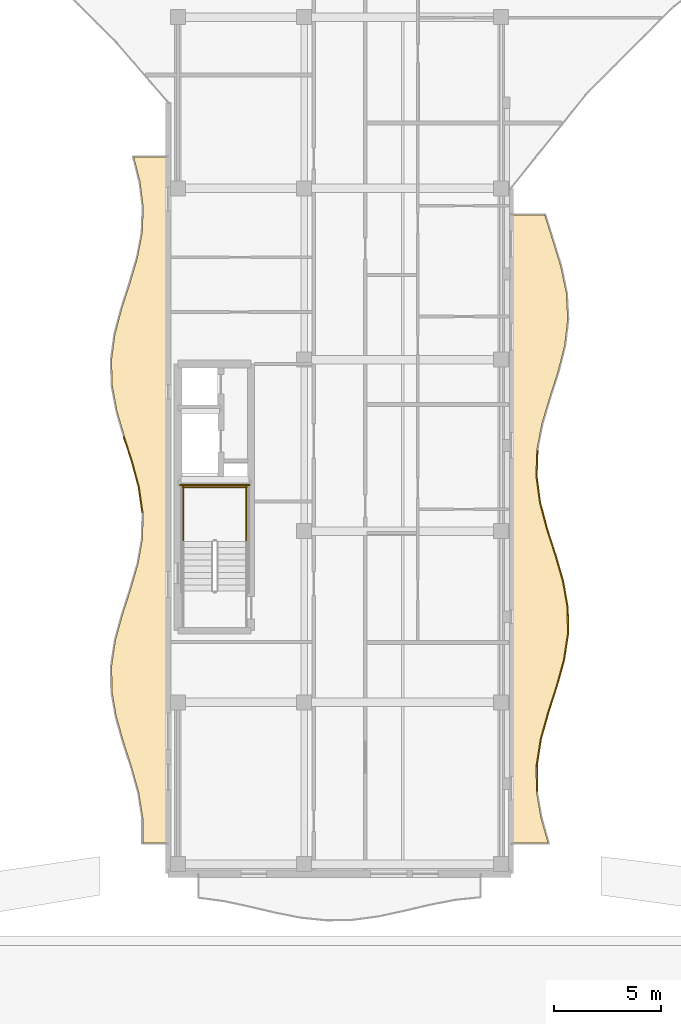
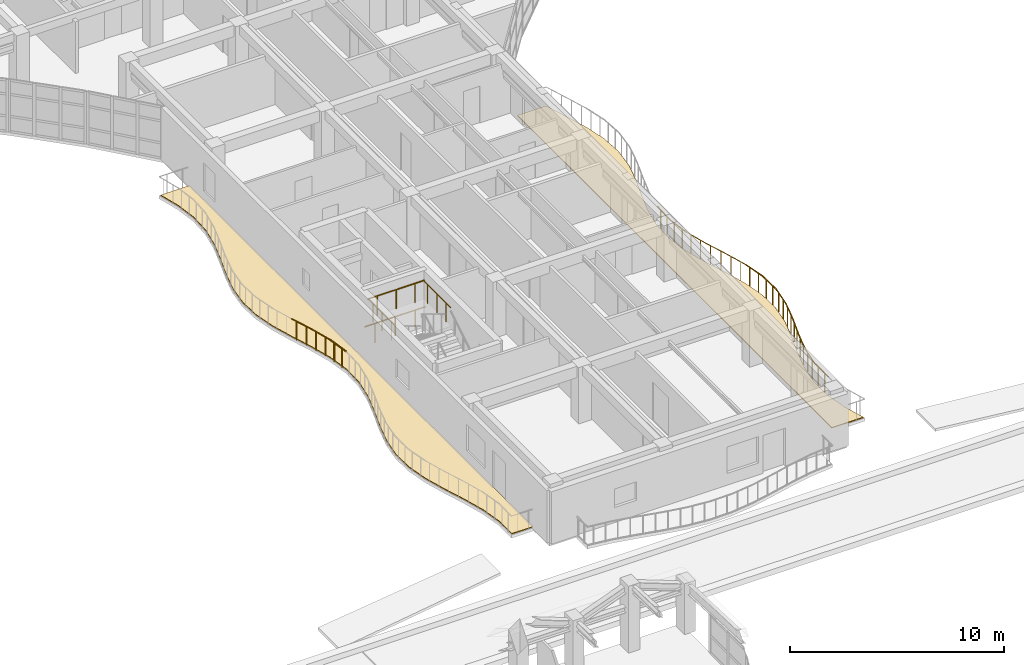
# One storey, part 111 of 128: 20 railings, 2 coverings.
"""IFC4 building model written with IfcOpenShell, lengths in metres."""

from ifc_helpers import new_model, si_unit, direction, frame, origin, origin_2d, place, context, subcontext, project, spatial, polyline, circle, outline, extrude, material, layer, layer_set, type_object, element, save


model = new_model("IFC4")

# Units and contexts
model_context = context("Model", 3, precision=1e-05, world=origin(), true_north=direction((0.0, 1.0)))
body_context = subcontext(model_context, "Body", "Model", "MODEL_VIEW")
ifc_project = project(units=[si_unit("LENGTHUNIT", "METRE"), si_unit("AREAUNIT", "SQUARE_METRE"), si_unit("VOLUMEUNIT", "CUBIC_METRE"), si_unit("PLANEANGLEUNIT", "RADIAN"), si_unit("MASSUNIT", "GRAM", prefix="KILO")], contexts=[model_context])

# Site, building, storey
site_placement = place(None, origin())
site = spatial("IfcSite", under=ifc_project, at=site_placement, CompositionType="ELEMENT")
building_placement = place(site_placement, origin())
building = spatial("IfcBuilding", under=site, at=building_placement, Name="Keldmere Railside Commons", CompositionType="ELEMENT")
storey_placement = place(building_placement, frame((0.0, 0.0, 4.159912109375)))
storey = spatial("IfcBuildingStorey", under=building, at=storey_placement, Name="L01", CompositionType="ELEMENT", Elevation=4.159912109375)

# Railings
ifc_material_1 = material(Name="Steel F-24 (S235)", Category="steel")
railing_type_1 = type_object("IfcRailingType", Name="Balcony & Terrace Steel Balustrade 1100", PredefinedType="BALUSTRADE", material=ifc_material_1)
railing_1_placement = place(storey_placement, frame((121.23193359375, 59.85009765625, 0.0)))
element("IfcRailing", 1, at=railing_1_placement, inside=storey, type_object=railing_type_1, Name="GR-1 GRD-L01-1884", PredefinedType="BALUSTRADE", context=body_context, shape_type="SweptSolid", body=[
    extrude(circle(Radius=0.02392578125, at=origin_2d()), frame((0.0, 0.0, 1.076171875), z_axis=(-0.008371243441, 0.999964960528, 0.0), x_axis=(-0.999964960528, -0.008371243441, 0.0)), (0.0, 0.0, 1.0), 1.224853515625),
    extrude(circle(Radius=0.02099609375, at=origin_2d()), frame((-0.00244140625, 0.30615234375, 0.0)), (0.0, 0.0, 1.0), 1.048095703125),
    extrude(circle(Radius=0.02099609375, at=origin_2d()), frame((-0.0078125, 0.918701171875, 0.0)), (0.0, 0.0, 1.0), 1.048095703125),
])
railing_2_placement = place(storey_placement, frame((121.2216796875, 61.074951171875, 0.0)))
element("IfcRailing", 2, at=railing_2_placement, inside=storey, type_object=railing_type_1, Name="GR-1 GRD-L01-1885", PredefinedType="BALUSTRADE", context=body_context, shape_type="SweptSolid", body=[
    extrude(circle(Radius=0.02392578125, at=origin_2d()), frame((0.0, 0.0, 1.076171875), z_axis=(0.155517765147, 0.98783309558, 0.0), x_axis=(-0.98783309558, 0.155517765147, 0.0)), (0.0, 0.0, 1.0), 1.240234375),
    extrude(circle(Radius=0.02099609375, at=origin_2d()), frame((0.04833984375, 0.30615234375, 0.0)), (0.0, 0.0, 1.0), 1.048095703125),
    extrude(circle(Radius=0.02099609375, at=origin_2d()), frame((0.14453125, 0.9189453125, 0.0)), (0.0, 0.0, 1.0), 1.048095703125),
])
railing_3_placement = place(storey_placement, frame((121.41455078125, 62.300048828125, 0.0)))
element("IfcRailing", 3, at=railing_3_placement, inside=storey, type_object=railing_type_1, Name="GR-1 GRD-L01-1886", PredefinedType="BALUSTRADE", context=body_context, shape_type="SweptSolid", body=[
    extrude(circle(Radius=0.02392578125, at=origin_2d()), frame((0.0, 0.0, 1.076171875), z_axis=(0.268960502567, 0.963151207266, 0.0), x_axis=(-0.963151207266, 0.268960502567, 0.0)), (0.0, 0.0, 1.0), 1.271728515625),
    extrude(circle(Radius=0.02099609375, at=origin_2d()), frame((0.08544921875, 0.30615234375, 0.0)), (0.0, 0.0, 1.0), 1.048095703125),
    extrude(circle(Radius=0.02099609375, at=origin_2d()), frame((0.256591796875, 0.918701171875, 0.0)), (0.0, 0.0, 1.0), 1.048095703125),
])
railing_4_placement = place(storey_placement, frame((121.756591796875, 63.52490234375, 0.0)))
element("IfcRailing", 4, at=railing_4_placement, inside=storey, type_object=railing_type_1, Name="GR-1 GRD-L01-1887", PredefinedType="BALUSTRADE", context=body_context, shape_type="SweptSolid", body=[
    extrude(circle(Radius=0.02392578125, at=origin_2d()), frame((0.0, 0.0, 1.076171875), z_axis=(0.307739510091, 0.95147064796, 0.0), x_axis=(-0.95147064796, 0.307739510091, 0.0)), (0.0, 0.0, 1.0), 1.28759765625),
    extrude(circle(Radius=0.02099609375, at=origin_2d()), frame((0.09912109375, 0.30615234375, 0.0)), (0.0, 0.0, 1.0), 1.048095703125),
    extrude(circle(Radius=0.02099609375, at=origin_2d()), frame((0.297119140625, 0.9189453125, 0.0)), (0.0, 0.0, 1.0), 1.048095703125),
])
railing_5_placement = place(storey_placement, frame((122.15283203125, 64.75, 0.0)))
element("IfcRailing", 5, at=railing_5_placement, inside=storey, type_object=railing_type_1, Name="GR-1 GRD-L01-1888", PredefinedType="BALUSTRADE", context=body_context, shape_type="SweptSolid", body=[
    extrude(circle(Radius=0.02392578125, at=origin_2d()), frame((0.0, 0.0, 1.076171875), z_axis=(0.267128781971, 0.963660839633, 0.0), x_axis=(-0.963660839633, 0.267128781971, 0.0)), (0.0, 0.0, 1.0), 1.271240234375),
    extrude(circle(Radius=0.02099609375, at=origin_2d()), frame((0.0849609375, 0.30615234375, 0.0)), (0.0, 0.0, 1.0), 1.048095703125),
    extrude(circle(Radius=0.02099609375, at=origin_2d()), frame((0.254638671875, 0.9189453125, 0.0)), (0.0, 0.0, 1.0), 1.048095703125),
])
railing_6_placement = place(storey_placement, frame((122.492431640625, 65.97509765625, 0.0)))
element("IfcRailing", 6, at=railing_6_placement, inside=storey, type_object=railing_type_1, Name="GR-1 GRD-L01-1889", PredefinedType="BALUSTRADE", context=body_context, shape_type="SweptSolid", body=[
    extrude(circle(Radius=0.02392578125, at=origin_2d()), frame((0.0, 0.0, 1.076171875), z_axis=(0.151894336175, 0.988396737468, 0.0), x_axis=(-0.988396737468, 0.151894336175, 0.0)), (0.0, 0.0, 1.0), 1.2392578125),
    extrude(circle(Radius=0.02099609375, at=origin_2d()), frame((0.047119140625, 0.30615234375, 0.0)), (0.0, 0.0, 1.0), 1.048095703125),
    extrude(circle(Radius=0.02099609375, at=origin_2d()), frame((0.14111328125, 0.918701171875, 0.0)), (0.0, 0.0, 1.0), 1.048095703125),
])
railing_7_placement = place(storey_placement, frame((122.6806640625, 67.199951171875, 0.0)))
element("IfcRailing", 7, at=railing_7_placement, inside=storey, type_object=railing_type_1, Name="GR-1 GRD-L01-1890", PredefinedType="BALUSTRADE", context=body_context, shape_type="SweptSolid", body=[
    extrude(circle(Radius=0.02392578125, at=origin_2d()), frame((0.0, 0.0, 1.076171875), z_axis=(-0.012753048087, 0.999918676575, 0.0), x_axis=(-0.999918676575, -0.012753048087, 0.0)), (0.0, 0.0, 1.0), 1.22509765625),
    extrude(circle(Radius=0.02099609375, at=origin_2d()), frame((-0.00390625, 0.30615234375, 0.0)), (0.0, 0.0, 1.0), 1.048095703125),
    extrude(circle(Radius=0.02099609375, at=origin_2d()), frame((-0.01171875, 0.9189453125, 0.0)), (0.0, 0.0, 1.0), 1.048095703125),
])
railing_8_placement = place(storey_placement, frame((122.6650390625, 68.425048828125, 0.0)))
element("IfcRailing", 8, at=railing_8_placement, inside=storey, type_object=railing_type_1, Name="GR-1 GRD-L01-1891", PredefinedType="BALUSTRADE", context=body_context, shape_type="SweptSolid", body=[
    extrude(circle(Radius=0.02392578125, at=origin_2d()), frame((0.0, 0.0, 1.076171875), z_axis=(-0.172956518815, 0.984929460723, 0.0), x_axis=(-0.984929460723, -0.172956518815, 0.0)), (0.0, 0.0, 1.0), 1.24365234375),
    extrude(circle(Radius=0.02099609375, at=origin_2d()), frame((-0.0537109375, 0.30615234375, 0.0)), (0.0, 0.0, 1.0), 1.048095703125),
    extrude(circle(Radius=0.02099609375, at=origin_2d()), frame((-0.161376953125, 0.918701171875, 0.0)), (0.0, 0.0, 1.0), 1.048095703125),
])
railing_9_placement = place(storey_placement, frame((122.449951171875, 69.64990234375, 0.0)))
element("IfcRailing", 9, at=railing_9_placement, inside=storey, type_object=railing_type_1, Name="GR-1 GRD-L01-1892", PredefinedType="BALUSTRADE", context=body_context, shape_type="SweptSolid", body=[
    extrude(circle(Radius=0.02392578125, at=origin_2d()), frame((0.0, 0.0, 1.076171875), z_axis=(-0.277955816073, 0.96059386023, 0.0), x_axis=(-0.96059386023, -0.277955816073, 0.0)), (0.0, 0.0, 1.0), 1.275390625),
    extrude(circle(Radius=0.02099609375, at=origin_2d()), frame((-0.088623046875, 0.30615234375, 0.0)), (0.0, 0.0, 1.0), 1.048095703125),
    extrude(circle(Radius=0.02099609375, at=origin_2d()), frame((-0.265869140625, 0.9189453125, 0.0)), (0.0, 0.0, 1.0), 1.048095703125),
])
railing_10_placement = place(storey_placement, frame((122.095458984375, 70.875, 0.0)))
element("IfcRailing", 10, at=railing_10_placement, inside=storey, type_object=railing_type_1, Name="GR-1 GRD-L01-1893", PredefinedType="BALUSTRADE", context=body_context, shape_type="SweptSolid", body=[
    extrude(circle(Radius=0.02392578125, at=origin_2d()), frame((0.0, 0.0, 1.076171875), z_axis=(-0.306880861524, 0.951747937655, 0.0), x_axis=(-0.951747937655, -0.306880861524, 0.0)), (0.0, 0.0, 1.0), 1.287109375),
    extrude(circle(Radius=0.02099609375, at=origin_2d()), frame((-0.0986328125, 0.30615234375, 0.0)), (0.0, 0.0, 1.0), 1.048095703125),
    extrude(circle(Radius=0.02099609375, at=origin_2d()), frame((-0.29638671875, 0.9189453125, 0.0)), (0.0, 0.0, 1.0), 1.048095703125),
])
railing_11_placement = place(storey_placement, frame((121.700439453125, 72.10009765625, 0.0)))
element("IfcRailing", 11, at=railing_11_placement, inside=storey, type_object=railing_type_1, Name="GR-1 GRD-L01-1894", PredefinedType="BALUSTRADE", context=body_context, shape_type="SweptSolid", body=[
    extrude(circle(Radius=0.02392578125, at=origin_2d()), frame((0.0, 0.0, 1.076171875), z_axis=(-0.256787278094, 0.966467947637, 0.0), x_axis=(-0.966467947637, -0.256787278094, 0.0)), (0.0, 0.0, 1.0), 1.267333984375),
    extrude(circle(Radius=0.02099609375, at=origin_2d()), frame((-0.081298828125, 0.30615234375, 0.0)), (0.0, 0.0, 1.0), 1.048095703125),
    extrude(circle(Radius=0.02099609375, at=origin_2d()), frame((-0.244140625, 0.918701171875, 0.0)), (0.0, 0.0, 1.0), 1.048095703125),
])
railing_12_placement = place(storey_placement, frame((121.375, 73.324951171875, 0.0)))
element("IfcRailing", 12, at=railing_12_placement, inside=storey, type_object=railing_type_1, Name="GR-1 GRD-L01-1895", PredefinedType="BALUSTRADE", context=body_context, shape_type="SweptSolid", body=[
    extrude(circle(Radius=0.02392578125, at=origin_2d()), frame((0.0, 0.0, 1.076171875), z_axis=(-0.13350900315, 0.991047600309, 0.0), x_axis=(-0.991047600309, -0.13350900315, 0.0)), (0.0, 0.0, 1.0), 1.236083984375),
    extrude(circle(Radius=0.02099609375, at=origin_2d()), frame((-0.041259765625, 0.30615234375, 0.0)), (0.0, 0.0, 1.0), 1.048095703125),
    extrude(circle(Radius=0.02099609375, at=origin_2d()), frame((-0.123779296875, 0.9189453125, 0.0)), (0.0, 0.0, 1.0), 1.048095703125),
])
railing_13_placement = place(storey_placement, frame((121.2099609375, 74.550048828125, 0.0)))
element("IfcRailing", 13, at=railing_13_placement, inside=storey, type_object=railing_type_1, Name="GR-1 GRD-L01-1896", PredefinedType="BALUSTRADE", context=body_context, shape_type="SweptSolid", body=[
    extrude(circle(Radius=0.02392578125, at=origin_2d()), frame((0.0, 0.0, 1.076171875), z_axis=(0.03366637402, 0.999433126958, 0.0), x_axis=(-0.999433126958, 0.03366637402, 0.0)), (0.0, 0.0, 1.0), 1.2255859375),
    extrude(circle(Radius=0.02099609375, at=origin_2d()), frame((0.01025390625, 0.30615234375, 0.0)), (0.0, 0.0, 1.0), 1.048095703125),
    extrude(circle(Radius=0.02099609375, at=origin_2d()), frame((0.031005859375, 0.918701171875, 0.0)), (0.0, 0.0, 1.0), 1.048095703125),
])
railing_14_placement = place(storey_placement, frame((102.785400390625, 72.855712890625, 0.0)))
element("IfcRailing", 14, at=railing_14_placement, inside=storey, type_object=railing_type_1, Name="GR-1 GRD-L01-1921", PredefinedType="BALUSTRADE", context=body_context, shape_type="SweptSolid", body=[
    extrude(circle(Radius=0.02392578125, at=origin_2d()), frame((0.0, 0.0, 1.076171875), z_axis=(-0.141506747714, 0.989937291121, 0.0), x_axis=(-0.989937291121, -0.141506747714, 0.0)), (0.0, 0.0, 1.0), 1.20068359375),
    extrude(circle(Radius=0.02099609375, at=origin_2d()), frame((-0.04248046875, 0.297119140625, 0.0)), (0.0, 0.0, 1.0), 1.048095703125),
    extrude(circle(Radius=0.02099609375, at=origin_2d()), frame((-0.12744140625, 0.8916015625, 0.0)), (0.0, 0.0, 1.0), 1.048095703125),
])
railing_15_placement = place(storey_placement, frame((102.615478515625, 74.04443359375, 0.0)))
element("IfcRailing", 15, at=railing_15_placement, inside=storey, type_object=railing_type_1, Name="GR-1 GRD-L01-1922", PredefinedType="BALUSTRADE", context=body_context, shape_type="SweptSolid", body=[
    extrude(circle(Radius=0.02392578125, at=origin_2d()), frame((0.0, 0.0, 1.076171875), z_axis=(-0.259020263855, 0.965871887422, 0.0), x_axis=(-0.965871887422, -0.259020263855, 0.0)), (0.0, 0.0, 1.0), 1.23095703125),
    extrude(circle(Radius=0.02099609375, at=origin_2d()), frame((-0.07958984375, 0.29736328125, 0.0)), (0.0, 0.0, 1.0), 1.048095703125),
    extrude(circle(Radius=0.02099609375, at=origin_2d()), frame((-0.2392578125, 0.8916015625, 0.0)), (0.0, 0.0, 1.0), 1.048095703125),
])
railing_16_placement = place(storey_placement, frame((102.296630859375, 75.2333984375, 0.0)))
element("IfcRailing", 16, at=railing_16_placement, inside=storey, type_object=railing_type_1, Name="GR-1 GRD-L01-1923", PredefinedType="BALUSTRADE", context=body_context, shape_type="SweptSolid", body=[
    extrude(circle(Radius=0.02392578125, at=origin_2d()), frame((0.0, 0.0, 1.076171875), z_axis=(-0.307065598681, 0.951688351356, 0.0), x_axis=(-0.951688351356, -0.307065598681, 0.0)), (0.0, 0.0, 1.0), 1.2490234375),
    extrude(circle(Radius=0.02099609375, at=origin_2d()), frame((-0.095947265625, 0.297119140625, 0.0)), (0.0, 0.0, 1.0), 1.048095703125),
    extrude(circle(Radius=0.02099609375, at=origin_2d()), frame((-0.28759765625, 0.8916015625, 0.0)), (0.0, 0.0, 1.0), 1.048095703125),
])
railing_type_2 = type_object("IfcRailingType", Name="Stair Well Steel Guardrail 1100", PredefinedType="BALUSTRADE", material=ifc_material_1)
for number, where, name in (
    (17, (107.64990234375, 71.52001953125, 1.60009765625), "L01 ST-B1 stair guard 3"),
    (18, (104.699951171875, 71.52001953125, 1.60009765625), "L01 ST-B1 stair guard 4"),
):
    element("IfcRailing", number, at=place(storey_placement, frame(where)), inside=storey, type_object=railing_type_2, Name=name, PredefinedType="BALUSTRADE", context=body_context, shape_type="SweptSolid", body=[
        extrude(circle(Radius=0.02392578125, at=origin_2d()), frame((0.0, 0.0, 1.076171875), z_axis=(0.0, 1.0, 0.0), x_axis=(-1.0, 0.0, 0.0)), (0.0, 0.0, 1.0), 2.580078125),
        extrude(circle(Radius=0.02099609375, at=origin_2d()), frame((0.0, 0.429931640625, 0.0)), (0.0, 0.0, 1.0), 1.048095703125),
        extrude(circle(Radius=0.02099609375, at=origin_2d()), frame((0.0, 1.2900390625, 0.0)), (0.0, 0.0, 1.0), 1.048095703125),
        extrude(circle(Radius=0.02099609375, at=origin_2d()), frame((0.0, 2.150146484375, 0.0)), (0.0, 0.0, 1.0), 1.048095703125),
    ])
railing_17_placement = place(storey_placement, frame((107.699951171875, 74.050048828125, 1.60009765625)))
element("IfcRailing", 19, at=railing_17_placement, inside=storey, type_object=railing_type_2, Name="L01 ST-B1 stair guard 5", PredefinedType="BALUSTRADE", context=body_context, shape_type="SweptSolid", body=[
    extrude(circle(Radius=0.02392578125, at=origin_2d()), frame((0.0, 0.0, 1.076171875), z_axis=(-1.0, 0.0, 0.0), x_axis=(0.0, -1.0, 0.0)), (0.0, 0.0, 1.0), 3.050048828125),
    extrude(circle(Radius=0.02099609375, at=origin_2d()), frame((-0.50830078125, 0.0, 0.0)), (0.0, 0.0, 1.0), 1.048095703125),
    extrude(circle(Radius=0.02099609375, at=origin_2d()), frame((-1.52490234375, 0.0, 0.0)), (0.0, 0.0, 1.0), 1.048095703125),
    extrude(circle(Radius=0.02099609375, at=origin_2d()), frame((-2.541748046875, 0.0, 0.0)), (0.0, 0.0, 1.0), 1.048095703125),
])
railing_18_placement = place(storey_placement, frame((107.800048828125, 74.14990234375, 0.0)))
element("IfcRailing", 20, at=railing_18_placement, inside=storey, type_object=railing_type_2, Name="L01 ST-B1 stair guard 12", PredefinedType="BALUSTRADE", context=body_context, shape_type="SweptSolid", body=[
    extrude(circle(Radius=0.02392578125, at=origin_2d()), frame((0.0, 0.0, 1.076171875), z_axis=(-1.0, 0.0, 0.0), x_axis=(0.0, -1.0, 0.0)), (0.0, 0.0, 1.0), 3.25),
    extrude(circle(Radius=0.02099609375, at=origin_2d()), frame((-0.541748046875, 0.0, 0.0)), (0.0, 0.0, 1.0), 1.048095703125),
    extrude(circle(Radius=0.02099609375, at=origin_2d()), frame((-1.625, 0.0, 0.0)), (0.0, 0.0, 1.0), 1.048095703125),
    extrude(circle(Radius=0.02099609375, at=origin_2d()), frame((-2.708251953125, 0.0, 0.0)), (0.0, 0.0, 1.0), 1.048095703125),
])

# Coverings
ifc_material_2 = material(Name="White Precast Concrete C35/45", Category="concrete")
ifc_layer = layer(ifc_material_2, 0.044921875, Name="White Architectural Balcony Ribbon Cladding 45")
ifc_layer_set = layer_set([ifc_layer], Name="White Precast Concrete C35/45")
covering_type = type_object("IfcCoveringType", Name="White Architectural Balcony Ribbon Cladding 45", PredefinedType="FLOORING", material=ifc_layer_set)
covering_1_placement = place(storey_placement, origin())
element("IfcCovering", 21, at=covering_1_placement, inside=storey, type_object=covering_type, Name="CLG-WB B L01 CE White Balcony Ribbon", PredefinedType="FLOORING", context=body_context, shape_type="SweptSolid", body=[
    extrude(outline(polyline([(121.404296875, 58.614013671875), (121.4033203125, 58.6181640625), (121.192626953125, 59.84326171875), (121.192138671875, 59.846435546875), (121.19189453125, 59.849609375), (121.181640625, 61.07470703125), (121.181884765625, 61.077880859375), (121.18212890625, 61.081298828125), (121.375, 62.30615234375), (121.3759765625, 62.310791015625), (121.71826171875, 63.535888671875), (121.718505859375, 63.537353515625), (122.114501953125, 64.761474609375), (122.453125, 65.9833984375), (122.640625, 67.202880859375), (122.625, 68.42138671875), (122.410888671875, 69.64111328125), (122.05712890625, 70.86328125), (121.662353515625, 72.087646484375), (121.66162109375, 72.089599609375), (121.336181640625, 73.314697265625), (121.335205078125, 73.319580078125), (121.17041015625, 74.544677734375), (121.169921875, 74.548095703125), (121.169921875, 74.551513671875), (121.211181640625, 75.7763671875), (121.211669921875, 75.779541015625), (121.2119140625, 75.78271484375), (121.4482421875, 77.007568359375), (121.44921875, 77.011474609375), (121.814697265625, 78.236328125), (121.81494140625, 78.2373046875), (122.206787109375, 79.4609375), (122.515869140625, 80.68212890625), (122.656494140625, 81.901123046875), (122.589599609375, 83.119873046875), (122.333984375, 84.340087890625), (121.9599609375, 85.56298828125), (121.580810546875, 86.760009765625), (120.0400390625, 86.760009765625), (120.0400390625, 57.43994140625), (121.74169921875, 57.43994140625), (121.404296875, 58.614013671875)])), origin(), (0.0, 0.0, 1.0), 0.045166015625),
])
covering_2_placement = place(storey_placement, origin())
element("IfcCovering", 22, at=covering_2_placement, inside=storey, type_object=covering_type, Name="CLG-WB B L01 CW White Balcony Ribbon", PredefinedType="FLOORING", context=body_context, shape_type="SweptSolid", body=[
    extrude(outline(polyline([(103.9599609375, 89.4599609375), (102.388916015625, 89.4599609375), (102.681884765625, 88.321044921875), (102.682861328125, 88.316162109375), (102.83251953125, 87.127197265625), (102.832763671875, 87.123779296875), (102.832763671875, 87.12060546875), (102.786865234375, 85.931884765625), (102.78662109375, 85.9287109375), (102.7861328125, 85.92578125), (102.556884765625, 84.73681640625), (102.55615234375, 84.73291015625), (102.203857421875, 83.544189453125), (102.20361328125, 83.543212890625), (101.8212890625, 82.35546875), (101.509765625, 81.169921875), (101.350830078125, 79.98681640625), (101.38525390625, 78.80419921875), (101.6044921875, 77.620361328125), (101.951416015625, 76.43408203125), (102.334716796875, 75.24560546875), (102.335205078125, 75.24365234375), (102.654052734375, 74.0546875), (102.655029296875, 74.050048828125), (102.824951171875, 72.861328125), (102.8251953125, 72.85791015625), (102.8251953125, 72.854736328125), (102.8017578125, 71.666015625), (102.801513671875, 71.662841796875), (102.80126953125, 71.65966796875), (102.59033203125, 70.470703125), (102.58935546875, 70.466796875), (102.24658203125, 69.27783203125), (102.246337890625, 69.276611328125), (101.8623046875, 68.088623046875), (101.538330078125, 66.90283203125), (101.359375, 65.719482421875), (101.37158203125, 64.536865234375), (101.572021484375, 63.353271484375), (101.90869140625, 62.167236328125), (102.293212890625, 60.97900390625), (102.29345703125, 60.977294921875), (102.624267578125, 59.78857421875), (102.625244140625, 59.7841796875), (102.81494140625, 58.59521484375), (102.8154296875, 58.592041015625), (102.8154296875, 58.5888671875), (102.814208984375, 57.43994140625), (103.9599609375, 57.43994140625), (103.9599609375, 89.4599609375)])), origin(), (0.0, 0.0, 1.0), 0.045166015625),
])

save(model, "model.ifc")
